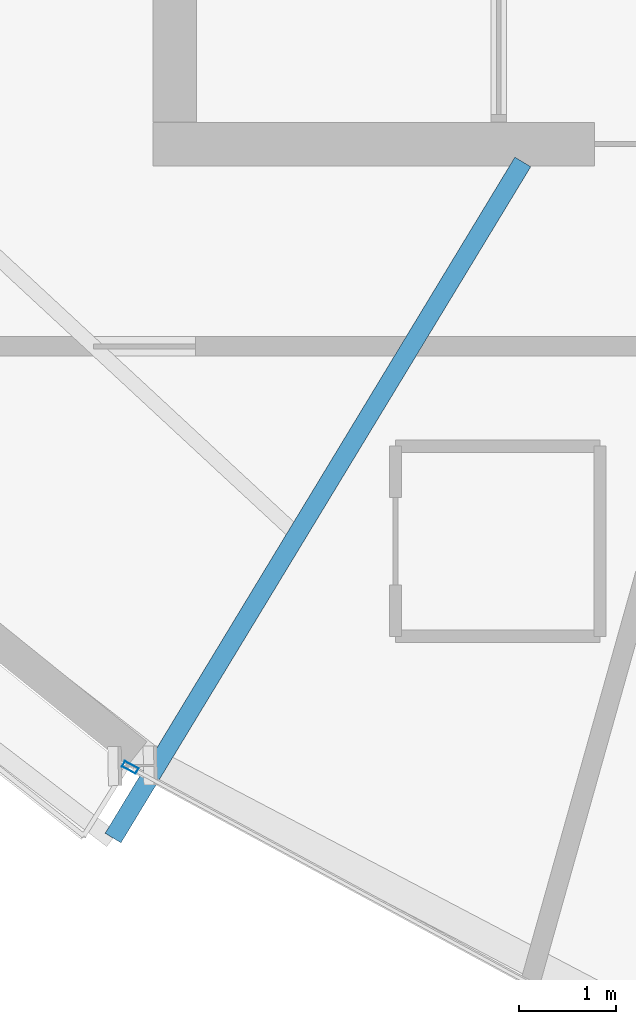
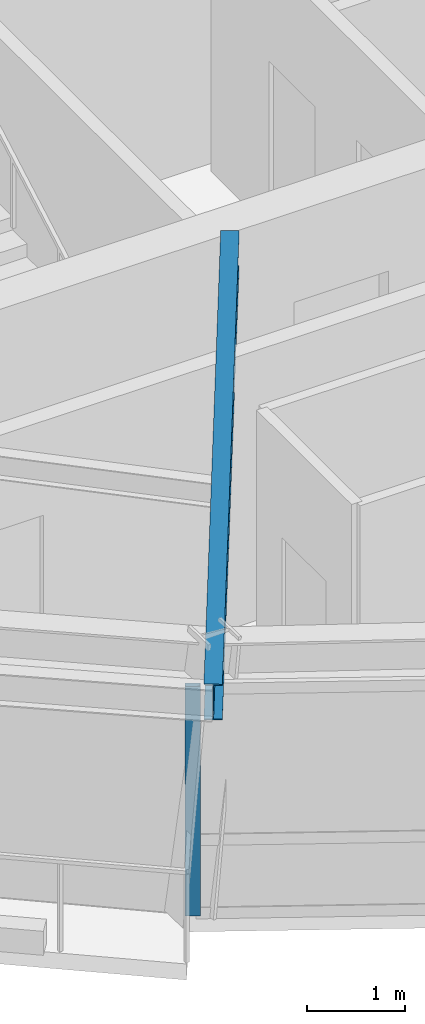
# One storey, part 2 of 15: 1 beam, 1 member, 1 element without a shape of its own.
"""IFC4 building model written with IfcOpenShell, lengths in metres."""

from ifc_helpers import new_model, si_unit, direction, frame, origin, origin_2d, place, context, subcontext, project, spatial, hollow_rectangle, i_section, extrude, source, transform, mapped, material, material_profile, profile_set, type_object, element, aggregate, save


model = new_model("IFC4")

# Units and contexts
model_context = context("Model", 3, precision=1e-05, world=origin(), true_north=direction((0.0, 1.0)))
body_context = subcontext(model_context, "Body", "Model", "MODEL_VIEW")
ifc_project = project(units=[si_unit("LENGTHUNIT", "METRE"), si_unit("AREAUNIT", "SQUARE_METRE"), si_unit("VOLUMEUNIT", "CUBIC_METRE"), si_unit("PLANEANGLEUNIT", "RADIAN"), si_unit("MASSUNIT", "GRAM", prefix="KILO")], contexts=[model_context])

# Site, building, storey
site_placement = place(None, origin())
site = spatial("IfcSite", under=ifc_project, at=site_placement, CompositionType="ELEMENT")
building_placement = place(site_placement, origin())
building = spatial("IfcBuilding", under=site, at=building_placement, Name="Olszyna Solenne Hotel", CompositionType="ELEMENT")
storey_placement = place(building_placement, frame((0.0, 0.0, 270.5)))
storey = spatial("IfcBuildingStorey", under=building, at=storey_placement, Name="L72", CompositionType="ELEMENT", Elevation=270.5)

# Beam
ifc_material_1 = material(Name="Steel S355J2", Category="steel")
ifc_material_profile_1 = material_profile(ifc_material_1, i_section(OverallWidth=0.18994140625, OverallDepth=0.449951171875, WebThickness=0.009521484375, FlangeThickness=0.0146484375, at=origin_2d()), Name="IPE 450", Category="load-bearing")
ifc_profile_set_1 = profile_set([ifc_material_profile_1], Name="Steel S355J2")
beam_type = type_object("IfcBeamType", Name="BM-F4", PredefinedType="BEAM", material=ifc_profile_set_1)
shared_shape_1 = source(origin(), body_context, "Body", "SweptSolid", [
    extrude(i_section(OverallWidth=0.18994140625, OverallDepth=0.449951171875, WebThickness=0.009521484375, FlangeThickness=0.0146484375, at=origin_2d()), origin(), (0.0, 0.0, 1.0), 8.111328125),
])
beam_placement = place(storey_placement, frame((29.242431640625, 12.156005859375, 3.155029296875), z_axis=(0.518323728753, 0.855184490161, 0.0), x_axis=(-0.855184490161, 0.518323728753, 0.0)))
element("IfcBeam", 1, at=beam_placement, inside=storey, type_object=beam_type, Name="Radial floor girder BM-F4 B-L72-2128", PredefinedType="BEAM", context=body_context, shape_type="MappedRepresentation", body=[
    mapped(shared_shape_1, transform((0.0, 0.0, 0.0), x_axis=(1.0, 0.0, 0.0), y_axis=(0.0, 1.0, 0.0), z_axis=(0.0, 0.0, 1.0), scale=1.0)),
])

# Curtain wall, member
ifc_material_2 = material(Name="Anodised bronze aluminium", Category="aluminium")
curtain_wall_type = type_object("IfcCurtainWallType", Name="CW-SYS-4", PredefinedType="NOTDEFINED", material=ifc_material_2)
curtain_wall_placement = place(storey_placement, origin())
curtain_wall = element("IfcCurtainWall", 2, at=curtain_wall_placement, inside=storey, type_object=curtain_wall_type, Name="Unitised curtain wall CW-SYS-4 CW-L72-01", PredefinedType="NOTDEFINED")
ifc_material_profile_2 = material_profile(ifc_material_2, hollow_rectangle(XDim=0.06494140625, YDim=0.159912109375, WallThickness=0.00390625, at=origin_2d()), Name="MULL 160x65x4", Category="load-bearing")
ifc_profile_set_2 = profile_set([ifc_material_profile_2], Name="Anodised bronze aluminium")
member_type = type_object("IfcMemberType", Name="CW-M3", PredefinedType="MULLION", material=ifc_profile_set_2)
shared_shape_2 = source(origin(), body_context, "Body", "SweptSolid", [
    extrude(hollow_rectangle(XDim=0.06494140625, YDim=0.159912109375, WallThickness=0.00390625, at=origin_2d()), origin(), (0.0, 0.0, 1.0), 2.8720703125),
])
member_placement = place(storey_placement, frame((29.41845703125, 12.880615234375, 0.0), z_axis=(0.0, 0.0, 1.0), x_axis=(0.475903760408, 0.879497362605, 0.0)))
member = element("IfcMember", 3, at=member_placement, type_object=member_type, Name="Curtain-wall mullion CW-M3 CM-L72-01-01", PredefinedType="MULLION", context=body_context, shape_type="MappedRepresentation", body=[
    mapped(shared_shape_2, transform((0.0, 0.0, 0.0), x_axis=(1.0, 0.0, 0.0), y_axis=(0.0, 1.0, 0.0), z_axis=(0.0, 0.0, 1.0), scale=1.0)),
])
aggregate(curtain_wall, [member])

save(model, "model.ifc")
